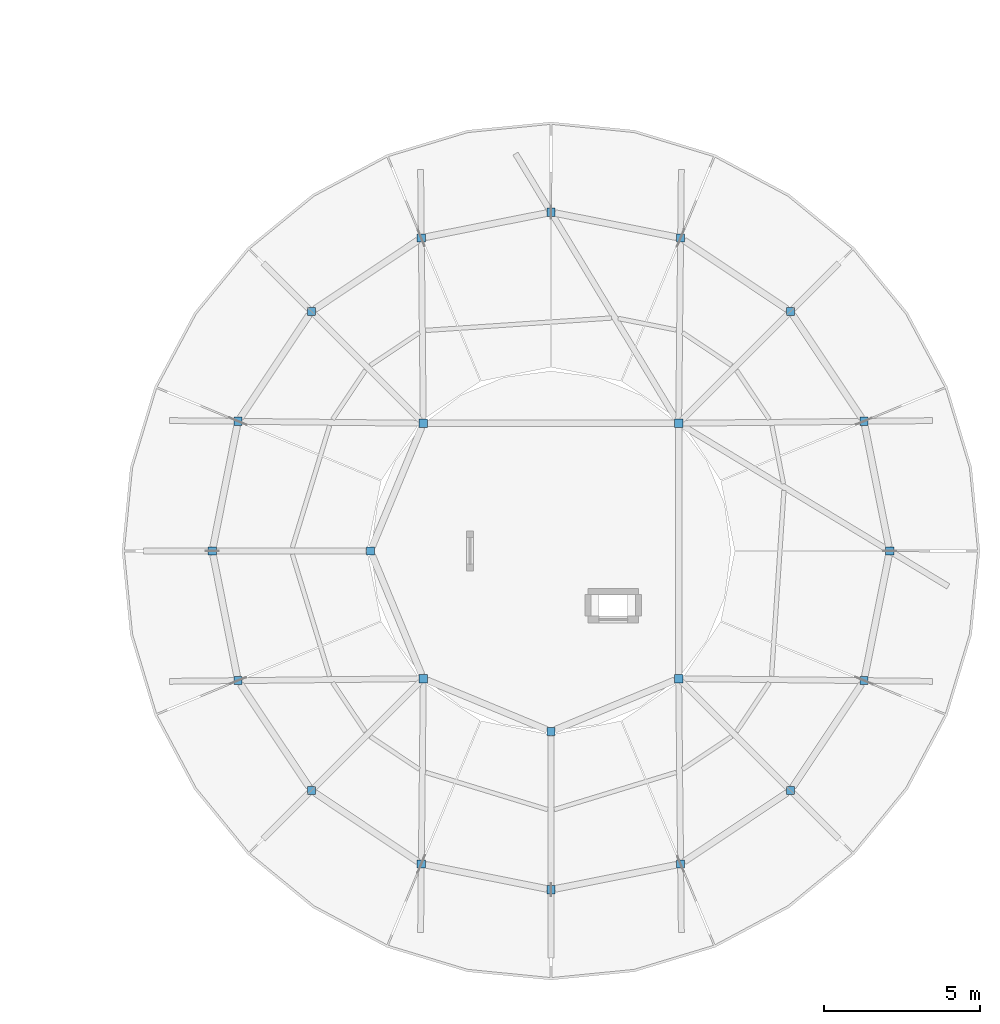
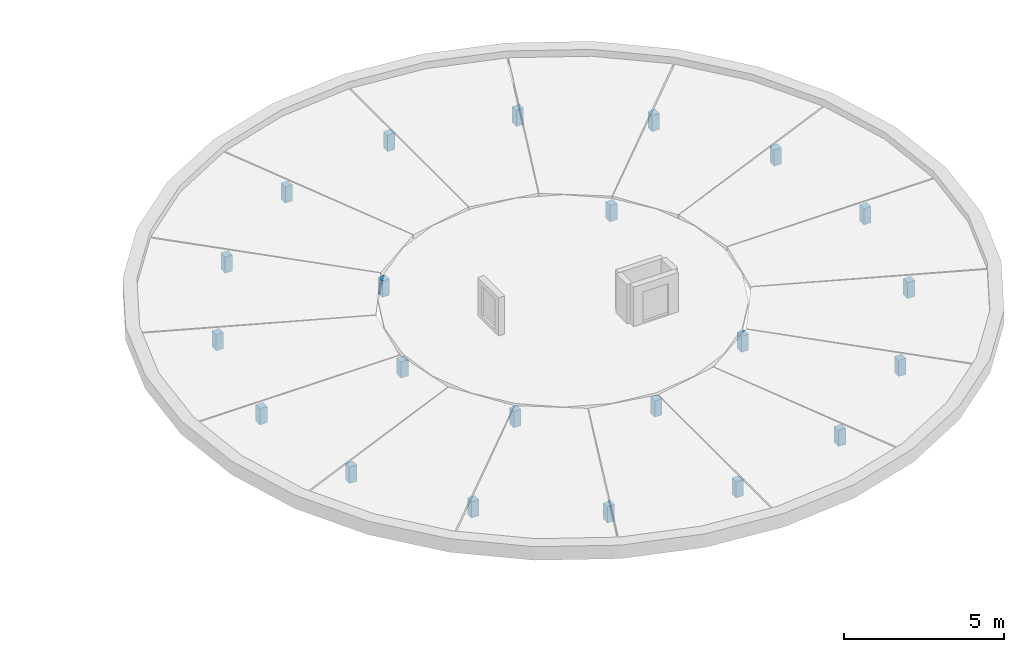
# One storey, part 3 of 37: 22 columns.
"""IFC4 building model written with IfcOpenShell, lengths in metres."""

from ifc_helpers import new_model, si_unit, direction, frame, origin, origin_2d, place, context, subcontext, project, spatial, rectangle, extrude, material, material_profile, profile_set, type_object, element, save


model = new_model("IFC4")

# Units and contexts
model_context = context("Model", 3, precision=1e-05, world=origin(), true_north=direction((0.0, 1.0)))
body_context = subcontext(model_context, "Body", "Model", "MODEL_VIEW")
ifc_project = project(units=[si_unit("LENGTHUNIT", "METRE"), si_unit("AREAUNIT", "SQUARE_METRE"), si_unit("VOLUMEUNIT", "CUBIC_METRE"), si_unit("PLANEANGLEUNIT", "RADIAN"), si_unit("MASSUNIT", "GRAM", prefix="KILO")], contexts=[model_context])

# Site, building, storey
site_placement = place(None, origin())
site = spatial("IfcSite", under=ifc_project, at=site_placement, CompositionType="ELEMENT")
building_placement = place(site_placement, origin())
building = spatial("IfcBuilding", under=site, at=building_placement, Name="Aldenvaro Health Centre", CompositionType="ELEMENT")
storey_placement = place(building_placement, frame((0.0, 0.0, 12.949951171875)))
storey = spatial("IfcBuildingStorey", under=building, at=storey_placement, Name="L03", CompositionType="ELEMENT", Elevation=12.949951171875)

# Columns
ifc_material = material(Name="Glulam GL28h", Category="wood")
ifc_material_profile_1 = material_profile(ifc_material, rectangle(XDim=0.264892578125, YDim=0.264892578125, at=origin_2d()), Name="GL 265x265", Category="wood")
ifc_profile_set_1 = profile_set([ifc_material_profile_1], Name="Glulam GL28h")
column_type_1 = type_object("IfcColumnType", Name="COL-GL-265", PredefinedType="COLUMN", material=ifc_profile_set_1)
for number, where, z_axis, x_axis, name in (
    (1, (158.60107421875, 22.60107421875, 0.0), (0.0, 0.0, 1.0), (1.0, 0.0, 0.0), "D6 Roof Hub Post 01"),
    (2, (150.39892578125, 22.60107421875, 0.0), (0.0, 0.0, 1.0), (1.0, 0.0, 0.0), "D6 Roof Hub Post 02"),
    (3, (148.699951171875, 18.5, 0.0), (0.0, 0.0, 1.0), (1.0, 0.0, 0.0), "D6 Roof Hub Post 03"),
    (4, (150.39892578125, 14.39892578125, 0.0), (0.0, 0.0, 1.0), (1.0, 0.0, 0.0), "D6 Roof Hub Post 04"),
    (5, (154.5, 12.699951171875, 0.0), (0.0, 0.0, 1.0), (1.0, 0.0, 0.0), "D6 Roof Hub Post 05"),
    (6, (158.60107421875, 14.39892578125, 0.0), (0.0, 0.0, 1.0), (1.0, 0.0, 0.0), "D6 Roof Hub Post 06"),
):
    element("IfcColumn", number, at=place(storey_placement, frame(where, z_axis=z_axis, x_axis=x_axis)), inside=storey, type_object=column_type_1, Name=name, PredefinedType="COLUMN", context=body_context, shape_type="SweptSolid", body=[
        extrude(rectangle(XDim=0.264892578125, YDim=0.264892578125, at=origin_2d()), origin(), (0.0, 0.0, 1.0), 0.6201171875),
    ])
ifc_material_profile_2 = material_profile(ifc_material, rectangle(XDim=0.264892578125, YDim=0.264892578125, at=origin_2d()), Name="GL 265x265", Category="wood")
ifc_profile_set_2 = profile_set([ifc_material_profile_2], Name="Glulam GL28h")
column_type_2 = type_object("IfcColumnType", Name="COL-GL-265E", PredefinedType="COLUMN", material=ifc_profile_set_2)
for number, where, z_axis, x_axis, name in (
    (7, (165.3798828125, 18.5, 0.0), (0.0, 0.0, 1.0), (1.0, 0.0, 0.0), "D6 Roof Eave Post 01"),
    (8, (164.552001953125, 22.6640625, 0.0), (0.0, 0.0, 1.0), (1.0, 0.0, 0.0), "D6 Roof Eave Post 02"),
    (9, (162.193115234375, 26.193115234375, 0.0), (0.0, 0.0, 1.0), (1.0, 0.0, 0.0), "D6 Roof Eave Post 03"),
    (10, (158.6640625, 28.552001953125, 0.0), (0.0, 0.0, 1.0), (1.0, 0.0, 0.0), "D6 Roof Eave Post 04"),
    (11, (154.5, 29.3798828125, 0.0), (0.0, 0.0, 1.0), (1.0, 0.0, 0.0), "D6 Roof Eave Post 05"),
    (12, (150.3359375, 28.552001953125, 0.0), (0.0, 0.0, 1.0), (1.0, 0.0, 0.0), "D6 Roof Eave Post 06"),
    (13, (146.806884765625, 26.193115234375, 0.0), (0.0, 0.0, 1.0), (1.0, 0.0, 0.0), "D6 Roof Eave Post 07"),
    (14, (144.447998046875, 22.6640625, 0.0), (0.0, 0.0, 1.0), (1.0, 0.0, 0.0), "D6 Roof Eave Post 08"),
    (15, (143.6201171875, 18.5, 0.0), (0.0, 0.0, 1.0), (1.0, 0.0, 0.0), "D6 Roof Eave Post 09"),
    (16, (144.447998046875, 14.3359375, 0.0), (0.0, 0.0, 1.0), (1.0, 0.0, 0.0), "D6 Roof Eave Post 10"),
    (17, (146.806884765625, 10.806884765625, 0.0), (0.0, 0.0, 1.0), (1.0, 0.0, 0.0), "D6 Roof Eave Post 11"),
    (18, (150.3359375, 8.447998046875, 0.0), (0.0, 0.0, 1.0), (1.0, 0.0, 0.0), "D6 Roof Eave Post 12"),
    (19, (154.5, 7.6201171875, 0.0), (0.0, 0.0, 1.0), (1.0, 0.0, 0.0), "D6 Roof Eave Post 13"),
    (20, (158.6640625, 8.447998046875, 0.0), (0.0, 0.0, 1.0), (1.0, 0.0, 0.0), "D6 Roof Eave Post 14"),
    (21, (162.193115234375, 10.806884765625, 0.0), (0.0, 0.0, 1.0), (1.0, 0.0, 0.0), "D6 Roof Eave Post 15"),
    (22, (164.552001953125, 14.3359375, 0.0), (0.0, 0.0, 1.0), (1.0, 0.0, 0.0), "D6 Roof Eave Post 16"),
):
    element("IfcColumn", number, at=place(storey_placement, frame(where, z_axis=z_axis, x_axis=x_axis)), inside=storey, type_object=column_type_2, Name=name, PredefinedType="COLUMN", context=body_context, shape_type="SweptSolid", body=[
        extrude(rectangle(XDim=0.264892578125, YDim=0.264892578125, at=origin_2d()), origin(), (0.0, 0.0, 1.0), 0.6201171875),
    ])

save(model, "model.ifc")
